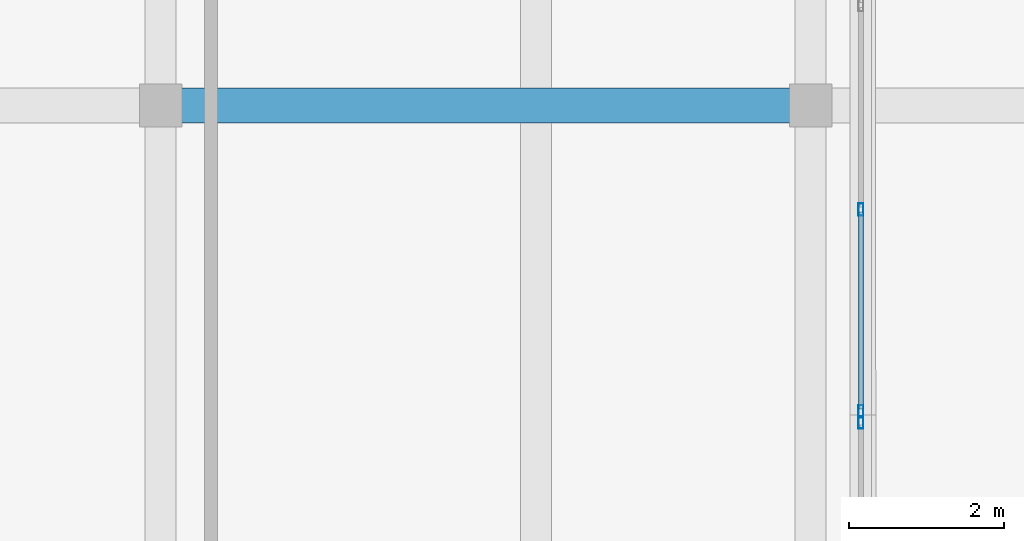
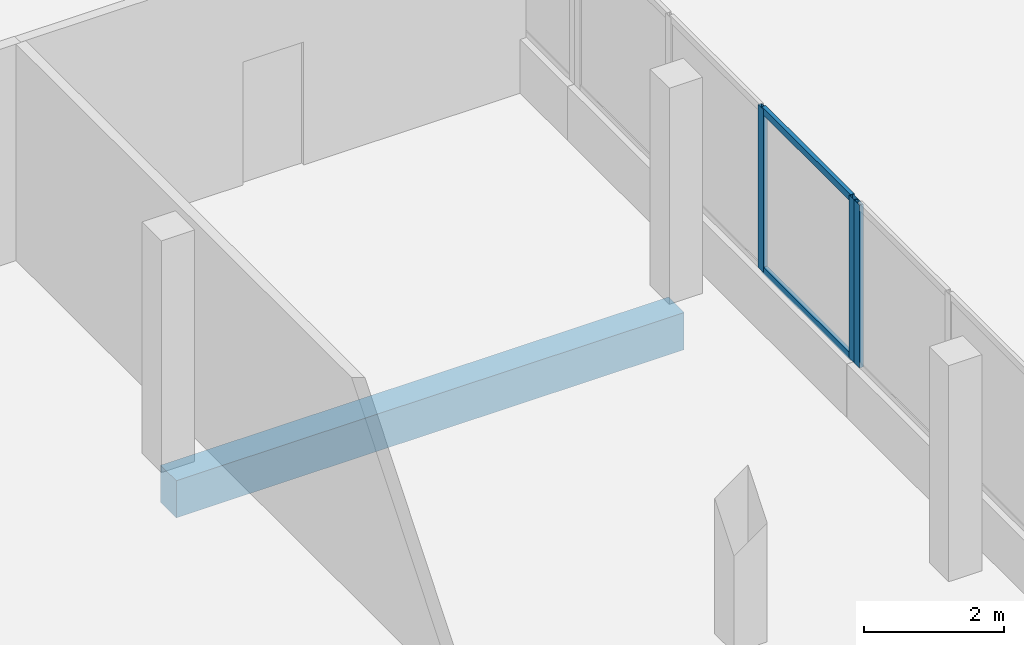
# One storey, part 41 of 66: 5 members, 1 beam, 2 elements without a shape of their own.
"""IFC4 building model written with IfcOpenShell, lengths in metres."""

from ifc_helpers import new_model, si_unit, direction, frame, origin, origin_2d, place, context, subcontext, project, spatial, rectangle, hollow_rectangle, extrude, material, material_profile, profile_set, type_object, element, aggregate, save


model = new_model("IFC4")

# Units and contexts
model_context = context("Model", 3, precision=1e-05, world=origin(), true_north=direction((0.0, 1.0)))
body_context = subcontext(model_context, "Body", "Model", "MODEL_VIEW")
ifc_project = project(units=[si_unit("LENGTHUNIT", "METRE"), si_unit("AREAUNIT", "SQUARE_METRE"), si_unit("VOLUMEUNIT", "CUBIC_METRE"), si_unit("PLANEANGLEUNIT", "RADIAN"), si_unit("MASSUNIT", "GRAM", prefix="KILO")], contexts=[model_context])

# Site, building, storey
site_placement = place(None, origin())
site = spatial("IfcSite", under=ifc_project, at=site_placement, CompositionType="ELEMENT")
building_placement = place(site_placement, origin())
building = spatial("IfcBuilding", under=site, at=building_placement, Name="Selatvlak General Hospital", CompositionType="ELEMENT")
storey_placement = place(building_placement, frame((0.0, 0.0, 31.35009765625)))
storey = spatial("IfcBuildingStorey", under=building, at=storey_placement, Name="L07", CompositionType="ELEMENT", Elevation=31.35009765625)

# Beam
ifc_material_1 = material(Name="Concrete C40/50", Category="concrete")
ifc_material_profile_1 = material_profile(ifc_material_1, rectangle(XDim=0.449951171875, YDim=0.64990234375, at=origin_2d()), Name="RC-BM 450x650")
ifc_profile_set_1 = profile_set([ifc_material_profile_1], Name="Concrete C40/50")
beam_type = type_object("IfcBeamType", Name="BM-G04", PredefinedType="BEAM", material=ifc_profile_set_1)
beam_placement = place(storey_placement, frame((156.550048828125, 100.0, -0.59521484375), z_axis=(1.0, 0.0, 0.0), x_axis=(0.0, 1.0, 0.0)))
element("IfcBeam", 1, at=beam_placement, inside=storey, type_object=beam_type, Name="Beam BMR-L07-2417", PredefinedType="BEAM", context=body_context, shape_type="SweptSolid", body=[
    extrude(rectangle(XDim=0.449951171875, YDim=0.64990234375, at=origin_2d()), origin(), (0.0, 0.0, 1.0), 8.39990234375),
])

# Curtain wall, members
ifc_material_2 = material(Name="Solar-control Low-E double glazing", Category="glass")
curtain_wall_type_1 = type_object("IfcCurtainWallType", Name="CW-CW-01", PredefinedType="USERDEFINED", material=ifc_material_2)
curtain_wall_1_placement = place(storey_placement, origin())
curtain_wall_1 = element("IfcCurtainWall", 2, at=curtain_wall_1_placement, inside=storey, type_object=curtain_wall_type_1, Name="Glazed facade curtain wall CW-L07-0661", ObjectType="UNITISED CURTAIN WALL", PredefinedType="USERDEFINED")
ifc_material_3 = material(Name="Dark anodised aluminium mullion", Category="aluminium")
ifc_material_profile_2 = material_profile(ifc_material_3, hollow_rectangle(XDim=0.06494140625, YDim=0.159912109375, WallThickness=0.00390625, at=origin_2d()), Name="AL-MUL 65x160x4")
ifc_profile_set_2 = profile_set([ifc_material_profile_2], Name="Dark anodised aluminium mullion")
member_type_1 = type_object("IfcMemberType", Name="CWM-01", PredefinedType="MULLION", material=ifc_profile_set_2)
member_1_placement = place(storey_placement, frame((165.599609375, 98.656005859375, 0.93994140625), z_axis=(0.0, 0.0, 1.0), x_axis=(0.999999992029, 0.000126262633, 0.0)))
member_1 = element("IfcMember", 3, at=member_1_placement, type_object=member_type_1, Name="CW-01 mullion 3", PredefinedType="MULLION", context=body_context, shape_type="SweptSolid", body=[
    extrude(hollow_rectangle(XDim=0.06494140625, YDim=0.159912109375, WallThickness=0.00390625, at=origin_2d()), origin(), (0.0, 0.0, 1.0), 2.844970703125),
])
member_2_placement = place(storey_placement, frame((165.60009765625, 96.048583984375, 0.93994140625), z_axis=(0.0, 0.0, 1.0), x_axis=(0.999999992029, 0.000126262633, 0.0)))
member_2 = element("IfcMember", 4, at=member_2_placement, type_object=member_type_1, Name="CW-01 mullion 4", PredefinedType="MULLION", context=body_context, shape_type="SweptSolid", body=[
    extrude(hollow_rectangle(XDim=0.06494140625, YDim=0.159912109375, WallThickness=0.00390625, at=origin_2d()), origin(), (0.0, 0.0, 1.0), 2.844970703125),
])

# Curtain wall, member
curtain_wall_type_2 = type_object("IfcCurtainWallType", Name="CW-CW-02", PredefinedType="USERDEFINED", material=ifc_material_2)
curtain_wall_2_placement = place(storey_placement, origin())
curtain_wall_2 = element("IfcCurtainWall", 5, at=curtain_wall_2_placement, inside=storey, type_object=curtain_wall_type_2, Name="Glazed facade curtain wall CW-L07-0662", ObjectType="UNITISED CURTAIN WALL", PredefinedType="USERDEFINED")
member_3_placement = place(storey_placement, frame((165.60009765625, 95.903564453125, 0.93994140625), z_axis=(0.0, 0.0, 1.0), x_axis=(1.0, 0.0, 0.0)))
member_3 = element("IfcMember", 6, at=member_3_placement, type_object=member_type_1, Name="CW-02 mullion 1", PredefinedType="MULLION", context=body_context, shape_type="SweptSolid", body=[
    extrude(hollow_rectangle(XDim=0.06494140625, YDim=0.159912109375, WallThickness=0.00390625, at=origin_2d()), origin(), (0.0, 0.0, 1.0), 2.844970703125),
])
aggregate(curtain_wall_2, [member_3])

# Member
ifc_material_profile_3 = material_profile(ifc_material_3, hollow_rectangle(XDim=0.06494140625, YDim=0.1201171875, WallThickness=0.00390625, at=origin_2d()), Name="AL-TRN 65x120x4")
ifc_profile_set_3 = profile_set([ifc_material_profile_3], Name="Dark anodised aluminium mullion")
member_type_2 = type_object("IfcMemberType", Name="CWT-01", PredefinedType="USERDEFINED", material=ifc_profile_set_3)
member_4_placement = place(storey_placement, frame((165.599609375, 98.62353515625, 0.972412109375), z_axis=(0.000192049161, -0.999999981559, 0.0), x_axis=(0.999999981559, 0.000192049161, 0.0)))
member_4 = element("IfcMember", 7, at=member_4_placement, type_object=member_type_2, Name="CW-01 transom 3.1", ObjectType="TRANSOM", PredefinedType="USERDEFINED", context=body_context, shape_type="SweptSolid", body=[
    extrude(hollow_rectangle(XDim=0.06494140625, YDim=0.1201171875, WallThickness=0.00390625, at=origin_2d()), origin(), (0.0, 0.0, 1.0), 2.54248046875),
])

member_5_placement = place(storey_placement, frame((165.599609375, 98.62353515625, 3.75244140625), z_axis=(0.000192049161, -0.999999981559, 0.0), x_axis=(0.999999981559, 0.000192049161, 0.0)))
member_5 = element("IfcMember", 8, at=member_5_placement, type_object=member_type_2, Name="CW-01 transom 3.2", ObjectType="TRANSOM", PredefinedType="USERDEFINED", context=body_context, shape_type="SweptSolid", body=[
    extrude(hollow_rectangle(XDim=0.06494140625, YDim=0.1201171875, WallThickness=0.00390625, at=origin_2d()), origin(), (0.0, 0.0, 1.0), 2.54248046875),
])

aggregate(curtain_wall_1, [member_1, member_2, member_4, member_5])

save(model, "model.ifc")
